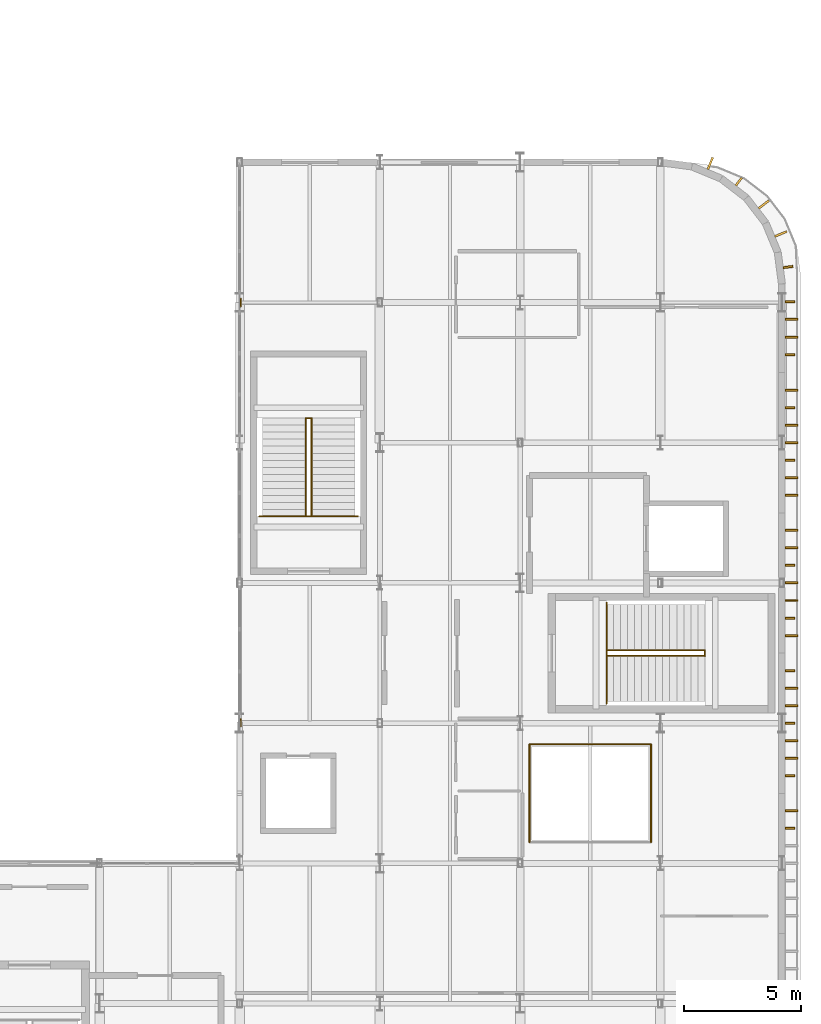
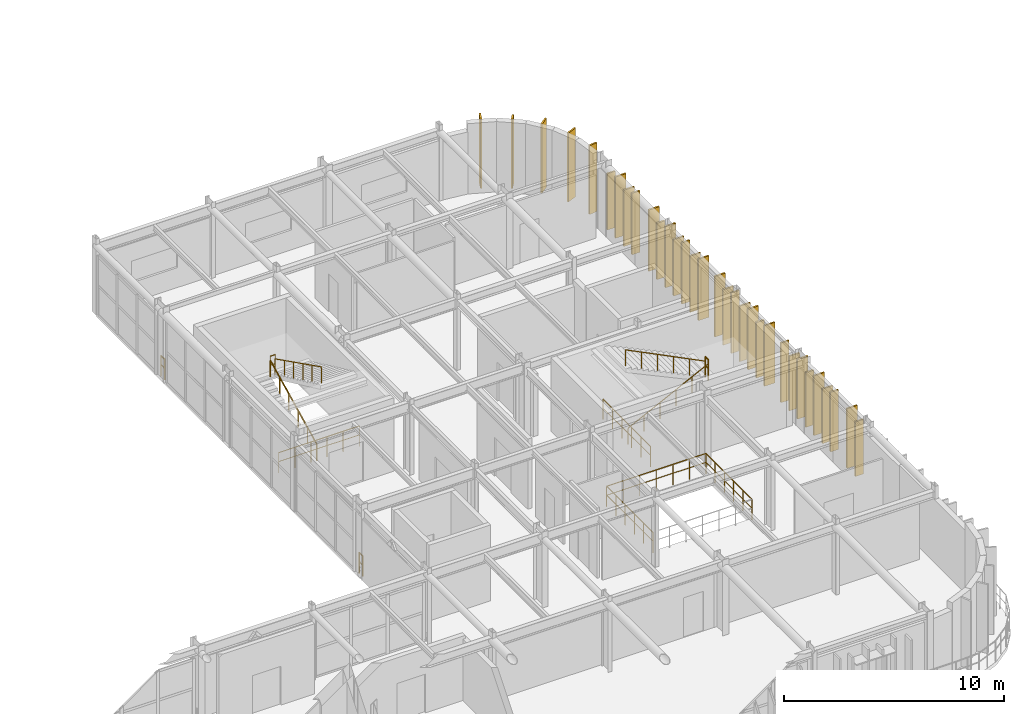
# One storey, part 115 of 116: 32 coverings, 13 railings.
"""IFC4 building model written with IfcOpenShell, lengths in metres."""

from ifc_helpers import new_model, si_unit, direction, frame, origin, origin_2d, place, context, subcontext, project, spatial, rectangle, circle, extrude, material, layer, layer_set, type_object, element, save


model = new_model("IFC4")

# Units and contexts
model_context = context("Model", 3, precision=1e-05, world=origin(), true_north=direction((0.0, 1.0)))
body_context = subcontext(model_context, "Body", "Model", "MODEL_VIEW")
ifc_project = project(units=[si_unit("LENGTHUNIT", "METRE"), si_unit("AREAUNIT", "SQUARE_METRE"), si_unit("VOLUMEUNIT", "CUBIC_METRE"), si_unit("PLANEANGLEUNIT", "RADIAN"), si_unit("MASSUNIT", "GRAM", prefix="KILO")], contexts=[model_context])

# Site, building, storey
site_placement = place(None, origin())
site = spatial("IfcSite", under=ifc_project, at=site_placement, CompositionType="ELEMENT")
building_placement = place(site_placement, origin())
building = spatial("IfcBuilding", under=site, at=building_placement, Name="Varnakota Square Police Headquarters", CompositionType="ELEMENT")
storey_placement = place(building_placement, frame((0.0, 0.0, 9.300048828125)))
storey = spatial("IfcBuildingStorey", under=building, at=storey_placement, Name="L02", CompositionType="ELEMENT", Elevation=9.300048828125)

# Coverings
ifc_material_1 = material(Name="White Anodised Aluminium Vertical Facade Blade 420", Category="aluminium")
ifc_layer_1 = layer(ifc_material_1, 0.0849609375, Name="White Anodised Aluminium Vertical Facade Blade 420")
ifc_layer_set_1 = layer_set([ifc_layer_1], Name="White Anodised Aluminium Vertical Facade Blade 420")
covering_type_1 = type_object("IfcCoveringType", Name="COV-FIN-420", PredefinedType="CLADDING", material=ifc_layer_set_1)
covering_1_placement = place(storey_placement, frame((161.544921875, 16.5, 0.0400390625), z_axis=(0.0, 0.0, 1.0), x_axis=(0.0, 1.0, 0.0)))
element("IfcCovering", 1, at=covering_1_placement, inside=storey, type_object=covering_type_1, Name="Vertical aluminium facade fin FIN-0386", PredefinedType="CLADDING", context=body_context, shape_type="SweptSolid", body=[
    extrude(rectangle(XDim=0.0849609375, YDim=0.419921875, at=origin_2d()), origin(), (0.0, 0.0, 1.0), 3.030029296875),
])
covering_2_placement = place(storey_placement, frame((161.544921875, 18.75, 0.0400390625), z_axis=(0.0, 0.0, 1.0), x_axis=(0.0, 1.0, 0.0)))
element("IfcCovering", 2, at=covering_2_placement, inside=storey, type_object=covering_type_1, Name="Vertical aluminium facade fin FIN-0388", PredefinedType="CLADDING", context=body_context, shape_type="SweptSolid", body=[
    extrude(rectangle(XDim=0.0849609375, YDim=0.419921875, at=origin_2d()), origin(), (0.0, 0.0, 1.0), 3.31005859375),
])
covering_3_placement = place(storey_placement, frame((161.544921875, 21.0, 0.0400390625), z_axis=(0.0, 0.0, 1.0), x_axis=(0.0, 1.0, 0.0)))
element("IfcCovering", 3, at=covering_3_placement, inside=storey, type_object=covering_type_1, Name="Vertical aluminium facade fin FIN-0391", PredefinedType="CLADDING", context=body_context, shape_type="SweptSolid", body=[
    extrude(rectangle(XDim=0.0849609375, YDim=0.419921875, at=origin_2d()), origin(), (0.0, 0.0, 1.0), 3.030029296875),
])
covering_4_placement = place(storey_placement, frame((161.544921875, 23.25, 0.0400390625), z_axis=(0.0, 0.0, 1.0), x_axis=(0.0, 1.0, 0.0)))
element("IfcCovering", 4, at=covering_4_placement, inside=storey, type_object=covering_type_1, Name="Vertical aluminium facade fin FIN-0394", PredefinedType="CLADDING", context=body_context, shape_type="SweptSolid", body=[
    extrude(rectangle(XDim=0.0849609375, YDim=0.419921875, at=origin_2d()), origin(), (0.0, 0.0, 1.0), 3.31005859375),
])
covering_5_placement = place(storey_placement, frame((161.544921875, 25.5, 0.039794921875), z_axis=(0.0, 0.0, 1.0), x_axis=(0.0, 1.0, 0.0)))
element("IfcCovering", 5, at=covering_5_placement, inside=storey, type_object=covering_type_1, Name="Vertical aluminium facade fin FIN-0396", PredefinedType="CLADDING", context=body_context, shape_type="SweptSolid", body=[
    extrude(rectangle(XDim=0.0849609375, YDim=0.419921875, at=origin_2d()), origin(), (0.0, 0.0, 1.0), 3.080078125),
])
covering_6_placement = place(storey_placement, frame((161.544921875, 27.75, 0.0400390625), z_axis=(0.0, 0.0, 1.0), x_axis=(0.0, 1.0, 0.0)))
element("IfcCovering", 6, at=covering_6_placement, inside=storey, type_object=covering_type_1, Name="Vertical aluminium facade fin FIN-0399", PredefinedType="CLADDING", context=body_context, shape_type="SweptSolid", body=[
    extrude(rectangle(XDim=0.0849609375, YDim=0.419921875, at=origin_2d()), origin(), (0.0, 0.0, 1.0), 3.360107421875),
])
covering_7_placement = place(storey_placement, frame((161.544921875, 32.25, 0.0400390625), z_axis=(0.0, 0.0, 1.0), x_axis=(0.0, 1.0, 0.0)))
element("IfcCovering", 7, at=covering_7_placement, inside=storey, type_object=covering_type_1, Name="Vertical aluminium facade fin FIN-0404", PredefinedType="CLADDING", context=body_context, shape_type="SweptSolid", body=[
    extrude(rectangle(XDim=0.0849609375, YDim=0.419921875, at=origin_2d()), origin(), (0.0, 0.0, 1.0), 3.403564453125),
])
covering_8_placement = place(storey_placement, frame((161.544921875, 34.5, 0.0400390625), z_axis=(0.0, 0.0, 1.0), x_axis=(0.0, 1.0, 0.0)))
element("IfcCovering", 8, at=covering_8_placement, inside=storey, type_object=covering_type_1, Name="Vertical aluminium facade fin FIN-0407", PredefinedType="CLADDING", context=body_context, shape_type="SweptSolid", body=[
    extrude(rectangle(XDim=0.0849609375, YDim=0.419921875, at=origin_2d()), origin(), (0.0, 0.0, 1.0), 3.12353515625),
])
covering_9_placement = place(storey_placement, frame((161.544921875, 36.77490234375, 0.0400390625), z_axis=(0.0, 0.0, 1.0), x_axis=(0.0, 1.0, 0.0)))
element("IfcCovering", 9, at=covering_9_placement, inside=storey, type_object=covering_type_1, Name="Vertical aluminium facade fin FIN-0409", PredefinedType="CLADDING", context=body_context, shape_type="SweptSolid", body=[
    extrude(rectangle(XDim=0.0849609375, YDim=0.419921875, at=origin_2d()), origin(), (0.0, 0.0, 1.0), 3.403564453125),
])
covering_10_placement = place(storey_placement, frame((161.544921875, 39.02490234375, 0.0400390625), z_axis=(0.0, 0.0, 1.0), x_axis=(0.0, 1.0, 0.0)))
element("IfcCovering", 10, at=covering_10_placement, inside=storey, type_object=covering_type_1, Name="Vertical aluminium facade fin FIN-0412", PredefinedType="CLADDING", context=body_context, shape_type="SweptSolid", body=[
    extrude(rectangle(XDim=0.0849609375, YDim=0.419921875, at=origin_2d()), origin(), (0.0, 0.0, 1.0), 3.12353515625),
])
for number, where, z_axis, x_axis, name in (
    (11, (161.46337890625, 40.519287109375, 0.0400390625), (0.0, 0.0, 1.0), (-0.13052619222, 0.991444861374, 0.0), "Vertical aluminium facade fin FIN-0424"),
    (12, (159.3544921875, 44.171875, 0.0400390625), (0.0, 0.0, 1.0), (-0.793353340291, 0.608761429009, 0.0), "Vertical aluminium facade fin FIN-0427"),
):
    element("IfcCovering", number, at=place(storey_placement, frame(where, z_axis=z_axis, x_axis=x_axis)), inside=storey, type_object=covering_type_1, Name=name, PredefinedType="CLADDING", context=body_context, shape_type="SweptSolid", body=[
        extrude(rectangle(XDim=0.0849609375, YDim=0.419921875, at=origin_2d()), origin(), (0.0, 0.0, 1.0), 3.81494140625),
    ])
ifc_material_2 = material(Name="White Anodised Aluminium Vertical Facade Blade 550", Category="aluminium")
ifc_layer_2 = layer(ifc_material_2, 0.0849609375, Name="White Anodised Aluminium Vertical Facade Blade 550")
ifc_layer_set_2 = layer_set([ifc_layer_2], Name="White Anodised Aluminium Vertical Facade Blade 550")
covering_type_2 = type_object("IfcCoveringType", Name="COV-FIN-550", PredefinedType="CLADDING", material=ifc_layer_set_2)
covering_11_placement = place(storey_placement, frame((161.610107421875, 17.25, 0.0400390625), z_axis=(0.0, 0.0, 1.0), x_axis=(0.0, 1.0, 0.0)))
element("IfcCovering", 13, at=covering_11_placement, inside=storey, type_object=covering_type_2, Name="Vertical aluminium facade fin FIN-0387", PredefinedType="CLADDING", context=body_context, shape_type="SweptSolid", body=[
    extrude(rectangle(XDim=0.0849609375, YDim=0.550048828125, at=origin_2d()), origin(), (0.0, 0.0, 1.0), 3.31005859375),
])
covering_12_placement = place(storey_placement, frame((161.610107421875, 19.5, 0.0400390625), z_axis=(0.0, 0.0, 1.0), x_axis=(0.0, 1.0, 0.0)))
element("IfcCovering", 14, at=covering_12_placement, inside=storey, type_object=covering_type_2, Name="Vertical aluminium facade fin FIN-0389", PredefinedType="CLADDING", context=body_context, shape_type="SweptSolid", body=[
    extrude(rectangle(XDim=0.0849609375, YDim=0.550048828125, at=origin_2d()), origin(), (0.0, 0.0, 1.0), 3.030029296875),
])
for number, where, z_axis, x_axis, name in (
    (15, (161.610107421875, 20.25, 0.0400390625), (0.0, 0.0, 1.0), (0.0, 1.0, 0.0), "Vertical aluminium facade fin FIN-0390"),
    (16, (161.610107421875, 21.75, 0.0400390625), (0.0, 0.0, 1.0), (0.0, 1.0, 0.0), "Vertical aluminium facade fin FIN-0392"),
):
    element("IfcCovering", number, at=place(storey_placement, frame(where, z_axis=z_axis, x_axis=x_axis)), inside=storey, type_object=covering_type_2, Name=name, PredefinedType="CLADDING", context=body_context, shape_type="SweptSolid", body=[
        extrude(rectangle(XDim=0.0849609375, YDim=0.550048828125, at=origin_2d()), origin(), (0.0, 0.0, 1.0), 3.31005859375),
    ])
covering_13_placement = place(storey_placement, frame((161.610107421875, 22.5, 0.0400390625), z_axis=(0.0, 0.0, 1.0), x_axis=(0.0, 1.0, 0.0)))
element("IfcCovering", 17, at=covering_13_placement, inside=storey, type_object=covering_type_2, Name="Vertical aluminium facade fin FIN-0393", PredefinedType="CLADDING", context=body_context, shape_type="SweptSolid", body=[
    extrude(rectangle(XDim=0.0849609375, YDim=0.550048828125, at=origin_2d()), origin(), (0.0, 0.0, 1.0), 3.030029296875),
])
for number, where, z_axis, x_axis, name in (
    (18, (161.610107421875, 24.75, 0.0400390625), (0.0, 0.0, 1.0), (0.0, 1.0, 0.0), "Vertical aluminium facade fin FIN-0395"),
    (19, (161.610107421875, 26.25, 0.0400390625), (0.0, 0.0, 1.0), (0.0, 1.0, 0.0), "Vertical aluminium facade fin FIN-0397"),
):
    element("IfcCovering", number, at=place(storey_placement, frame(where, z_axis=z_axis, x_axis=x_axis)), inside=storey, type_object=covering_type_2, Name=name, PredefinedType="CLADDING", context=body_context, shape_type="SweptSolid", body=[
        extrude(rectangle(XDim=0.0849609375, YDim=0.550048828125, at=origin_2d()), origin(), (0.0, 0.0, 1.0), 3.360107421875),
    ])
for number, where, z_axis, x_axis, name in (
    (20, (161.610107421875, 27.0, 0.039794921875), (0.0, 0.0, 1.0), (0.0, 1.0, 0.0), "Vertical aluminium facade fin FIN-0398"),
    (21, (161.610107421875, 28.5, 0.039794921875), (0.0, 0.0, 1.0), (0.0, 1.0, 0.0), "Vertical aluminium facade fin FIN-0400"),
):
    element("IfcCovering", number, at=place(storey_placement, frame(where, z_axis=z_axis, x_axis=x_axis)), inside=storey, type_object=covering_type_2, Name=name, PredefinedType="CLADDING", context=body_context, shape_type="SweptSolid", body=[
        extrude(rectangle(XDim=0.0849609375, YDim=0.550048828125, at=origin_2d()), origin(), (0.0, 0.0, 1.0), 3.080078125),
    ])
covering_14_placement = place(storey_placement, frame((161.610107421875, 29.25, 0.0400390625), z_axis=(0.0, 0.0, 1.0), x_axis=(0.0, 1.0, 0.0)))
element("IfcCovering", 22, at=covering_14_placement, inside=storey, type_object=covering_type_2, Name="Vertical aluminium facade fin FIN-0401", PredefinedType="CLADDING", context=body_context, shape_type="SweptSolid", body=[
    extrude(rectangle(XDim=0.0849609375, YDim=0.550048828125, at=origin_2d()), origin(), (0.0, 0.0, 1.0), 3.360107421875),
])
covering_15_placement = place(storey_placement, frame((161.610107421875, 30.75, 0.0400390625), z_axis=(0.0, 0.0, 1.0), x_axis=(0.0, 1.0, 0.0)))
element("IfcCovering", 23, at=covering_15_placement, inside=storey, type_object=covering_type_2, Name="Vertical aluminium facade fin FIN-0402", PredefinedType="CLADDING", context=body_context, shape_type="SweptSolid", body=[
    extrude(rectangle(XDim=0.0849609375, YDim=0.550048828125, at=origin_2d()), origin(), (0.0, 0.0, 1.0), 3.403564453125),
])
for number, where, z_axis, x_axis, name in (
    (24, (161.610107421875, 31.5, 0.0400390625), (0.0, 0.0, 1.0), (0.0, 1.0, 0.0), "Vertical aluminium facade fin FIN-0403"),
    (25, (161.610107421875, 33.0, 0.0400390625), (0.0, 0.0, 1.0), (0.0, 1.0, 0.0), "Vertical aluminium facade fin FIN-0405"),
):
    element("IfcCovering", number, at=place(storey_placement, frame(where, z_axis=z_axis, x_axis=x_axis)), inside=storey, type_object=covering_type_2, Name=name, PredefinedType="CLADDING", context=body_context, shape_type="SweptSolid", body=[
        extrude(rectangle(XDim=0.0849609375, YDim=0.550048828125, at=origin_2d()), origin(), (0.0, 0.0, 1.0), 3.12353515625),
    ])
for number, where, z_axis, x_axis, name in (
    (26, (161.610107421875, 33.75, 0.0400390625), (0.0, 0.0, 1.0), (0.0, 1.0, 0.0), "Vertical aluminium facade fin FIN-0406"),
    (27, (161.610107421875, 35.25, 0.0400390625), (0.0, 0.0, 1.0), (0.0, 1.0, 0.0), "Vertical aluminium facade fin FIN-0408"),
):
    element("IfcCovering", number, at=place(storey_placement, frame(where, z_axis=z_axis, x_axis=x_axis)), inside=storey, type_object=covering_type_2, Name=name, PredefinedType="CLADDING", context=body_context, shape_type="SweptSolid", body=[
        extrude(rectangle(XDim=0.0849609375, YDim=0.550048828125, at=origin_2d()), origin(), (0.0, 0.0, 1.0), 3.403564453125),
    ])
covering_16_placement = place(storey_placement, frame((161.610107421875, 37.52490234375, 0.0400390625), z_axis=(0.0, 0.0, 1.0), x_axis=(0.0, 1.0, 0.0)))
element("IfcCovering", 28, at=covering_16_placement, inside=storey, type_object=covering_type_2, Name="Vertical aluminium facade fin FIN-0410", PredefinedType="CLADDING", context=body_context, shape_type="SweptSolid", body=[
    extrude(rectangle(XDim=0.0849609375, YDim=0.550048828125, at=origin_2d()), origin(), (0.0, 0.0, 1.0), 3.12353515625),
])
covering_17_placement = place(storey_placement, frame((161.610107421875, 38.27490234375, 0.0400390625), z_axis=(0.0, 0.0, 1.0), x_axis=(0.0, 1.0, 0.0)))
element("IfcCovering", 29, at=covering_17_placement, inside=storey, type_object=covering_type_2, Name="Vertical aluminium facade fin FIN-0411", PredefinedType="CLADDING", context=body_context, shape_type="SweptSolid", body=[
    extrude(rectangle(XDim=0.0849609375, YDim=0.550048828125, at=origin_2d()), origin(), (0.0, 0.0, 1.0), 3.403564453125),
])
for number, where, z_axis, x_axis, name in (
    (30, (161.151123046875, 41.93359375, 0.0400390625), (0.0, 0.0, 1.0), (-0.382683432365, 0.923879532511, 0.0), "Vertical aluminium facade fin FIN-0425"),
    (31, (160.42333984375, 43.194091796875, 0.0400390625), (0.0, 0.0, 1.0), (-0.608761429009, 0.793353340291, 0.0), "Vertical aluminium facade fin FIN-0426"),
    (32, (158.1337890625, 44.951171875, 0.0400390625), (0.0, 0.0, 1.0), (-0.923879532511, 0.382683432365, 0.0), "Vertical aluminium facade fin FIN-0428"),
):
    element("IfcCovering", number, at=place(storey_placement, frame(where, z_axis=z_axis, x_axis=x_axis)), inside=storey, type_object=covering_type_2, Name=name, PredefinedType="CLADDING", context=body_context, shape_type="SweptSolid", body=[
        extrude(rectangle(XDim=0.0849609375, YDim=0.550048828125, at=origin_2d()), origin(), (0.0, 0.0, 1.0), 3.81494140625),
    ])

# Railings
ifc_material_3 = material(Name="Galvanised Powder-Coated Steel Guardrail", Category="steel")
railing_type_1 = type_object("IfcRailingType", Name="RL-BAL-1150", PredefinedType="BALUSTRADE", material=ifc_material_3)
railing_1_placement = place(storey_placement, frame((138.050048828125, 20.871337890625, 0.0)))
element("IfcRailing", 33, at=railing_1_placement, inside=storey, type_object=railing_type_1, Name="Perimeter edge safety guard GD-AUTO-L02-051", PredefinedType="BALUSTRADE", context=body_context, shape_type="SweptSolid", body=[
    extrude(circle(Radius=0.02392578125, at=origin_2d()), frame((0.0, 0.0, 1.1259765625), z_axis=(0.0, 1.0, 0.0), x_axis=(-1.0, 0.0, 0.0)), (0.0, 0.0, 1.0), 0.299072265625),
    extrude(circle(Radius=0.01806640625, at=origin_2d()), frame((0.0, 0.0, 0.63232421875), z_axis=(0.0, 1.0, 0.0), x_axis=(-1.0, 0.0, 0.0)), (0.0, 0.0, 1.0), 0.299072265625),
    extrude(circle(Radius=0.02099609375, at=origin_2d()), origin(), (0.0, 0.0, 1.0), 1.101806640625),
    extrude(circle(Radius=0.02099609375, at=origin_2d()), frame((0.0, 0.299072265625, 0.0)), (0.0, 0.0, 1.0), 1.101806640625),
])
railing_2_placement = place(storey_placement, frame((138.050048828125, 38.82958984375, 0.0)))
element("IfcRailing", 34, at=railing_2_placement, inside=storey, type_object=railing_type_1, Name="Perimeter edge safety guard GD-AUTO-L02-052", PredefinedType="BALUSTRADE", context=body_context, shape_type="SweptSolid", body=[
    extrude(circle(Radius=0.02392578125, at=origin_2d()), frame((0.0, 0.0, 1.1259765625), z_axis=(0.0, 1.0, 0.0), x_axis=(-1.0, 0.0, 0.0)), (0.0, 0.0, 1.0), 0.3408203125),
    extrude(circle(Radius=0.01806640625, at=origin_2d()), frame((0.0, 0.0, 0.63232421875), z_axis=(0.0, 1.0, 0.0), x_axis=(-1.0, 0.0, 0.0)), (0.0, 0.0, 1.0), 0.3408203125),
    extrude(circle(Radius=0.02099609375, at=origin_2d()), origin(), (0.0, 0.0, 1.0), 1.101806640625),
    extrude(circle(Radius=0.02099609375, at=origin_2d()), frame((0.0, 0.3408203125, 0.0)), (0.0, 0.0, 1.0), 1.101806640625),
])
ifc_material_4 = material(Name="Brushed Stainless Steel Tubular Handrail", Category="steel")
railing_type_2 = type_object("IfcRailingType", Name="RL-HND-920", PredefinedType="HANDRAIL", material=ifc_material_4)
railing_3_placement = place(storey_placement, frame((153.699951171875, 23.8798828125, 0.0)))
element("IfcRailing", 35, at=railing_3_placement, inside=storey, type_object=railing_type_2, Name="Stair flight handrail HR-L02-019", PredefinedType="HANDRAIL", context=body_context, shape_type="SweptSolid", body=[
    extrude(circle(Radius=0.02392578125, at=origin_2d()), frame((0.0, 0.0, 0.89599609375), z_axis=(0.894468775824, 0.0, 0.447130416184), x_axis=(0.0, 1.0, 0.0)), (0.0, 0.0, 1.0), 4.6962890625),
    extrude(circle(Radius=0.02099609375, at=origin_2d()), origin(), (0.0, 0.0, 1.0), 0.871826171875),
    extrude(circle(Radius=0.02099609375, at=origin_2d()), frame((0.840087890625, 0.0, 0.419921875)), (0.0, 0.0, 1.0), 0.871826171875),
    extrude(circle(Radius=0.02099609375, at=origin_2d()), frame((1.68017578125, 0.0, 0.83984375)), (0.0, 0.0, 1.0), 0.871826171875),
    extrude(circle(Radius=0.02099609375, at=origin_2d()), frame((2.5205078125, 0.0, 1.260009765625)), (0.0, 0.0, 1.0), 0.871826171875),
    extrude(circle(Radius=0.02099609375, at=origin_2d()), frame((3.360595703125, 0.0, 1.679931640625)), (0.0, 0.0, 1.0), 0.871826171875),
    extrude(circle(Radius=0.02099609375, at=origin_2d()), frame((4.20068359375, 0.0, 2.099853515625)), (0.0, 0.0, 1.0), 0.871826171875),
])
railing_4_placement = place(storey_placement, frame((157.900634765625, 24.1201171875, 2.099853515625)))
element("IfcRailing", 36, at=railing_4_placement, inside=storey, type_object=railing_type_2, Name="Stair flight handrail HR-L02-020", PredefinedType="HANDRAIL", context=body_context, shape_type="SweptSolid", body=[
    extrude(circle(Radius=0.02392578125, at=origin_2d()), frame((0.0, 0.0, 0.89599609375), z_axis=(-0.894447983895, 0.0, 0.447172007292), x_axis=(0.0, -1.0, 0.0)), (0.0, 0.0, 1.0), 4.6962890625),
    extrude(circle(Radius=0.02099609375, at=origin_2d()), origin(), (0.0, 0.0, 1.0), 0.871826171875),
    extrude(circle(Radius=0.02099609375, at=origin_2d()), frame((-0.840087890625, 0.0, 0.419921875)), (0.0, 0.0, 1.0), 0.871826171875),
    extrude(circle(Radius=0.02099609375, at=origin_2d()), frame((-1.68017578125, 0.0, 0.840087890625)), (0.0, 0.0, 1.0), 0.871826171875),
    extrude(circle(Radius=0.02099609375, at=origin_2d()), frame((-2.5205078125, 0.0, 1.260009765625)), (0.0, 0.0, 1.0), 0.871826171875),
    extrude(circle(Radius=0.02099609375, at=origin_2d()), frame((-3.360595703125, 0.0, 1.68017578125)), (0.0, 0.0, 1.0), 0.871826171875),
    extrude(circle(Radius=0.02099609375, at=origin_2d()), frame((-4.20068359375, 0.0, 2.10009765625)), (0.0, 0.0, 1.0), 0.871826171875),
])
railing_5_placement = place(storey_placement, frame((140.829833984375, 29.85009765625, 0.0)))
element("IfcRailing", 37, at=railing_5_placement, inside=storey, type_object=railing_type_2, Name="Stair flight handrail HR-L02-033", PredefinedType="HANDRAIL", context=body_context, shape_type="SweptSolid", body=[
    extrude(circle(Radius=0.02392578125, at=origin_2d()), frame((0.0, 0.0, 0.89599609375), z_axis=(0.0, 0.894468775824, 0.447130416184), x_axis=(-1.0, 0.0, 0.0)), (0.0, 0.0, 1.0), 4.6962890625),
    extrude(circle(Radius=0.02099609375, at=origin_2d()), origin(), (0.0, 0.0, 1.0), 0.871826171875),
    extrude(circle(Radius=0.02099609375, at=origin_2d()), frame((0.0, 0.840087890625, 0.419921875)), (0.0, 0.0, 1.0), 0.871826171875),
    extrude(circle(Radius=0.02099609375, at=origin_2d()), frame((0.0, 1.68017578125, 0.83984375)), (0.0, 0.0, 1.0), 0.871826171875),
    extrude(circle(Radius=0.02099609375, at=origin_2d()), frame((0.0, 2.5205078125, 1.260009765625)), (0.0, 0.0, 1.0), 0.871826171875),
    extrude(circle(Radius=0.02099609375, at=origin_2d()), frame((0.0, 3.360595703125, 1.679931640625)), (0.0, 0.0, 1.0), 0.871826171875),
    extrude(circle(Radius=0.02099609375, at=origin_2d()), frame((0.0, 4.20068359375, 2.099853515625)), (0.0, 0.0, 1.0), 0.871826171875),
])
railing_6_placement = place(storey_placement, frame((141.070068359375, 34.05078125, 2.099853515625)))
element("IfcRailing", 38, at=railing_6_placement, inside=storey, type_object=railing_type_2, Name="Stair flight handrail HR-L02-034", PredefinedType="HANDRAIL", context=body_context, shape_type="SweptSolid", body=[
    extrude(circle(Radius=0.02392578125, at=origin_2d()), frame((0.0, 0.0, 0.89599609375), z_axis=(0.0, -0.894447983895, 0.447172007292), x_axis=(1.0, 0.0, 0.0)), (0.0, 0.0, 1.0), 4.6962890625),
    extrude(circle(Radius=0.02099609375, at=origin_2d()), origin(), (0.0, 0.0, 1.0), 0.871826171875),
    extrude(circle(Radius=0.02099609375, at=origin_2d()), frame((0.0, -0.840087890625, 0.419921875)), (0.0, 0.0, 1.0), 0.871826171875),
    extrude(circle(Radius=0.02099609375, at=origin_2d()), frame((0.0, -1.68017578125, 0.840087890625)), (0.0, 0.0, 1.0), 0.871826171875),
    extrude(circle(Radius=0.02099609375, at=origin_2d()), frame((0.0, -2.5205078125, 1.260009765625)), (0.0, 0.0, 1.0), 0.871826171875),
    extrude(circle(Radius=0.02099609375, at=origin_2d()), frame((0.0, -3.360595703125, 1.68017578125)), (0.0, 0.0, 1.0), 0.871826171875),
    extrude(circle(Radius=0.02099609375, at=origin_2d()), frame((0.0, -4.20068359375, 2.10009765625)), (0.0, 0.0, 1.0), 0.871826171875),
])
ifc_material_5 = material(Name="Laminated Glass and Stainless Steel Balustrade", Category="steel")
railing_type_3 = type_object("IfcRailingType", Name="RL-INT-1150", PredefinedType="BALUSTRADE", material=ifc_material_5)
railing_7_placement = place(storey_placement, frame((153.699951171875, 21.840087890625, 0.0)))
element("IfcRailing", 39, at=railing_7_placement, inside=storey, type_object=railing_type_3, Name="Stair well safety guard C2 L02", PredefinedType="BALUSTRADE", context=body_context, shape_type="SweptSolid", body=[
    extrude(circle(Radius=0.02392578125, at=origin_2d()), frame((0.0, 0.0, 1.1259765625), z_axis=(0.0, 1.0, 0.0), x_axis=(-1.0, 0.0, 0.0)), (0.0, 0.0, 1.0), 4.31982421875),
    extrude(circle(Radius=0.01806640625, at=origin_2d()), frame((0.0, 0.0, 0.63232421875), z_axis=(0.0, 1.0, 0.0), x_axis=(-1.0, 0.0, 0.0)), (0.0, 0.0, 1.0), 4.31982421875),
    extrude(circle(Radius=0.02099609375, at=origin_2d()), origin(), (0.0, 0.0, 1.0), 1.101806640625),
    extrude(circle(Radius=0.02099609375, at=origin_2d()), frame((0.0, 0.864013671875, 0.0)), (0.0, 0.0, 1.0), 1.101806640625),
    extrude(circle(Radius=0.02099609375, at=origin_2d()), frame((0.0, 1.72802734375, 0.0)), (0.0, 0.0, 1.0), 1.101806640625),
    extrude(circle(Radius=0.02099609375, at=origin_2d()), frame((0.0, 2.591796875, 0.0)), (0.0, 0.0, 1.0), 1.101806640625),
    extrude(circle(Radius=0.02099609375, at=origin_2d()), frame((0.0, 3.455810546875, 0.0)), (0.0, 0.0, 1.0), 1.101806640625),
    extrude(circle(Radius=0.02099609375, at=origin_2d()), frame((0.0, 4.31982421875, 0.0)), (0.0, 0.0, 1.0), 1.101806640625),
])
railing_8_placement = place(storey_placement, frame((157.900634765625, 23.869873046875, 2.099853515625)))
element("IfcRailing", 40, at=railing_8_placement, inside=storey, type_object=railing_type_3, Name="Half-landing well guard C2 L02", PredefinedType="BALUSTRADE", context=body_context, shape_type="SweptSolid", body=[
    extrude(circle(Radius=0.02392578125, at=origin_2d()), frame((0.0, 0.0, 1.1259765625), z_axis=(0.0, 1.0, 0.0), x_axis=(-1.0, 0.0, 0.0)), (0.0, 0.0, 1.0), 0.26025390625),
    extrude(circle(Radius=0.01806640625, at=origin_2d()), frame((0.0, 0.0, 0.63232421875), z_axis=(0.0, 1.0, 0.0), x_axis=(-1.0, 0.0, 0.0)), (0.0, 0.0, 1.0), 0.26025390625),
    extrude(circle(Radius=0.02099609375, at=origin_2d()), origin(), (0.0, 0.0, 1.0), 1.101806640625),
    extrude(circle(Radius=0.02099609375, at=origin_2d()), frame((0.0, 0.26025390625, 0.0)), (0.0, 0.0, 1.0), 1.101806640625),
])
railing_9_placement = place(storey_placement, frame((138.840087890625, 29.85009765625, 0.0)))
element("IfcRailing", 41, at=railing_9_placement, inside=storey, type_object=railing_type_3, Name="Stair well safety guard C3 L02", PredefinedType="BALUSTRADE", context=body_context, shape_type="SweptSolid", body=[
    extrude(circle(Radius=0.02392578125, at=origin_2d()), frame((0.0, 0.0, 1.1259765625), z_axis=(1.0, 0.0, 0.0), x_axis=(0.0, 1.0, 0.0)), (0.0, 0.0, 1.0), 4.219970703125),
    extrude(circle(Radius=0.01806640625, at=origin_2d()), frame((0.0, 0.0, 0.63232421875), z_axis=(1.0, 0.0, 0.0), x_axis=(0.0, 1.0, 0.0)), (0.0, 0.0, 1.0), 4.219970703125),
    extrude(circle(Radius=0.02099609375, at=origin_2d()), origin(), (0.0, 0.0, 1.0), 1.101806640625),
    extrude(circle(Radius=0.02099609375, at=origin_2d()), frame((0.843994140625, 0.0, 0.0)), (0.0, 0.0, 1.0), 1.101806640625),
    extrude(circle(Radius=0.02099609375, at=origin_2d()), frame((1.68798828125, 0.0, 0.0)), (0.0, 0.0, 1.0), 1.101806640625),
    extrude(circle(Radius=0.02099609375, at=origin_2d()), frame((2.531982421875, 0.0, 0.0)), (0.0, 0.0, 1.0), 1.101806640625),
    extrude(circle(Radius=0.02099609375, at=origin_2d()), frame((3.3759765625, 0.0, 0.0)), (0.0, 0.0, 1.0), 1.101806640625),
    extrude(circle(Radius=0.02099609375, at=origin_2d()), frame((4.219970703125, 0.0, 0.0)), (0.0, 0.0, 1.0), 1.101806640625),
])
railing_10_placement = place(storey_placement, frame((140.81982421875, 34.05078125, 2.099853515625)))
element("IfcRailing", 42, at=railing_10_placement, inside=storey, type_object=railing_type_3, Name="Half-landing well guard C3 L02", PredefinedType="BALUSTRADE", context=body_context, shape_type="SweptSolid", body=[
    extrude(circle(Radius=0.02392578125, at=origin_2d()), frame((0.0, 0.0, 1.1259765625), z_axis=(1.0, 0.0, 0.0), x_axis=(0.0, 1.0, 0.0)), (0.0, 0.0, 1.0), 0.26025390625),
    extrude(circle(Radius=0.01806640625, at=origin_2d()), frame((0.0, 0.0, 0.63232421875), z_axis=(1.0, 0.0, 0.0), x_axis=(0.0, 1.0, 0.0)), (0.0, 0.0, 1.0), 0.26025390625),
    extrude(circle(Radius=0.02099609375, at=origin_2d()), origin(), (0.0, 0.0, 1.0), 1.101806640625),
    extrude(circle(Radius=0.02099609375, at=origin_2d()), frame((0.26025390625, 0.0, 0.0)), (0.0, 0.0, 1.0), 1.101806640625),
])
railing_11_placement = place(storey_placement, frame((155.60009765625, 15.89990234375, 0.0)))
element("IfcRailing", 43, at=railing_11_placement, inside=storey, type_object=railing_type_3, Name="Detective light-well balustrade", PredefinedType="BALUSTRADE", context=body_context, shape_type="SweptSolid", body=[
    extrude(circle(Radius=0.02392578125, at=origin_2d()), frame((0.0, 0.0, 1.1259765625), z_axis=(0.0, 1.0, 0.0), x_axis=(-1.0, 0.0, 0.0)), (0.0, 0.0, 1.0), 4.2001953125),
    extrude(circle(Radius=0.01806640625, at=origin_2d()), frame((0.0, 0.0, 0.63232421875), z_axis=(0.0, 1.0, 0.0), x_axis=(-1.0, 0.0, 0.0)), (0.0, 0.0, 1.0), 4.2001953125),
    extrude(circle(Radius=0.02099609375, at=origin_2d()), origin(), (0.0, 0.0, 1.0), 1.101806640625),
    extrude(circle(Radius=0.02099609375, at=origin_2d()), frame((0.0, 0.840087890625, 0.0)), (0.0, 0.0, 1.0), 1.101806640625),
    extrude(circle(Radius=0.02099609375, at=origin_2d()), frame((0.0, 1.68017578125, 0.0)), (0.0, 0.0, 1.0), 1.101806640625),
    extrude(circle(Radius=0.02099609375, at=origin_2d()), frame((0.0, 2.52001953125, 0.0)), (0.0, 0.0, 1.0), 1.101806640625),
    extrude(circle(Radius=0.02099609375, at=origin_2d()), frame((0.0, 3.360107421875, 0.0)), (0.0, 0.0, 1.0), 1.101806640625),
    extrude(circle(Radius=0.02099609375, at=origin_2d()), frame((0.0, 4.2001953125, 0.0)), (0.0, 0.0, 1.0), 1.101806640625),
])
railing_12_placement = place(storey_placement, frame((155.60009765625, 20.10009765625, 0.0)))
element("IfcRailing", 44, at=railing_12_placement, inside=storey, type_object=railing_type_3, Name="Detective light-well balustrade", PredefinedType="BALUSTRADE", context=body_context, shape_type="SweptSolid", body=[
    extrude(circle(Radius=0.02392578125, at=origin_2d()), frame((0.0, 0.0, 1.1259765625), z_axis=(-1.0, 0.0, 0.0), x_axis=(0.0, -1.0, 0.0)), (0.0, 0.0, 1.0), 5.2001953125),
    extrude(circle(Radius=0.01806640625, at=origin_2d()), frame((0.0, 0.0, 0.63232421875), z_axis=(-1.0, 0.0, 0.0), x_axis=(0.0, -1.0, 0.0)), (0.0, 0.0, 1.0), 5.2001953125),
    extrude(circle(Radius=0.02099609375, at=origin_2d()), origin(), (0.0, 0.0, 1.0), 1.101806640625),
    extrude(circle(Radius=0.02099609375, at=origin_2d()), frame((-0.86669921875, 0.0, 0.0)), (0.0, 0.0, 1.0), 1.101806640625),
    extrude(circle(Radius=0.02099609375, at=origin_2d()), frame((-1.7333984375, 0.0, 0.0)), (0.0, 0.0, 1.0), 1.101806640625),
    extrude(circle(Radius=0.02099609375, at=origin_2d()), frame((-2.60009765625, 0.0, 0.0)), (0.0, 0.0, 1.0), 1.101806640625),
    extrude(circle(Radius=0.02099609375, at=origin_2d()), frame((-3.466796875, 0.0, 0.0)), (0.0, 0.0, 1.0), 1.101806640625),
    extrude(circle(Radius=0.02099609375, at=origin_2d()), frame((-4.33349609375, 0.0, 0.0)), (0.0, 0.0, 1.0), 1.101806640625),
    extrude(circle(Radius=0.02099609375, at=origin_2d()), frame((-5.2001953125, 0.0, 0.0)), (0.0, 0.0, 1.0), 1.101806640625),
])
railing_13_placement = place(storey_placement, frame((150.39990234375, 20.10009765625, 0.0)))
element("IfcRailing", 45, at=railing_13_placement, inside=storey, type_object=railing_type_3, Name="Detective light-well balustrade", PredefinedType="BALUSTRADE", context=body_context, shape_type="SweptSolid", body=[
    extrude(circle(Radius=0.02392578125, at=origin_2d()), frame((0.0, 0.0, 1.1259765625), z_axis=(0.0, -1.0, 0.0), x_axis=(1.0, 0.0, 0.0)), (0.0, 0.0, 1.0), 4.2001953125),
    extrude(circle(Radius=0.01806640625, at=origin_2d()), frame((0.0, 0.0, 0.63232421875), z_axis=(0.0, -1.0, 0.0), x_axis=(1.0, 0.0, 0.0)), (0.0, 0.0, 1.0), 4.2001953125),
    extrude(circle(Radius=0.02099609375, at=origin_2d()), origin(), (0.0, 0.0, 1.0), 1.101806640625),
    extrude(circle(Radius=0.02099609375, at=origin_2d()), frame((0.0, -0.840087890625, 0.0)), (0.0, 0.0, 1.0), 1.101806640625),
    extrude(circle(Radius=0.02099609375, at=origin_2d()), frame((0.0, -1.68017578125, 0.0)), (0.0, 0.0, 1.0), 1.101806640625),
    extrude(circle(Radius=0.02099609375, at=origin_2d()), frame((0.0, -2.52001953125, 0.0)), (0.0, 0.0, 1.0), 1.101806640625),
    extrude(circle(Radius=0.02099609375, at=origin_2d()), frame((0.0, -3.360107421875, 0.0)), (0.0, 0.0, 1.0), 1.101806640625),
    extrude(circle(Radius=0.02099609375, at=origin_2d()), frame((0.0, -4.2001953125, 0.0)), (0.0, 0.0, 1.0), 1.101806640625),
])

save(model, "model.ifc")
